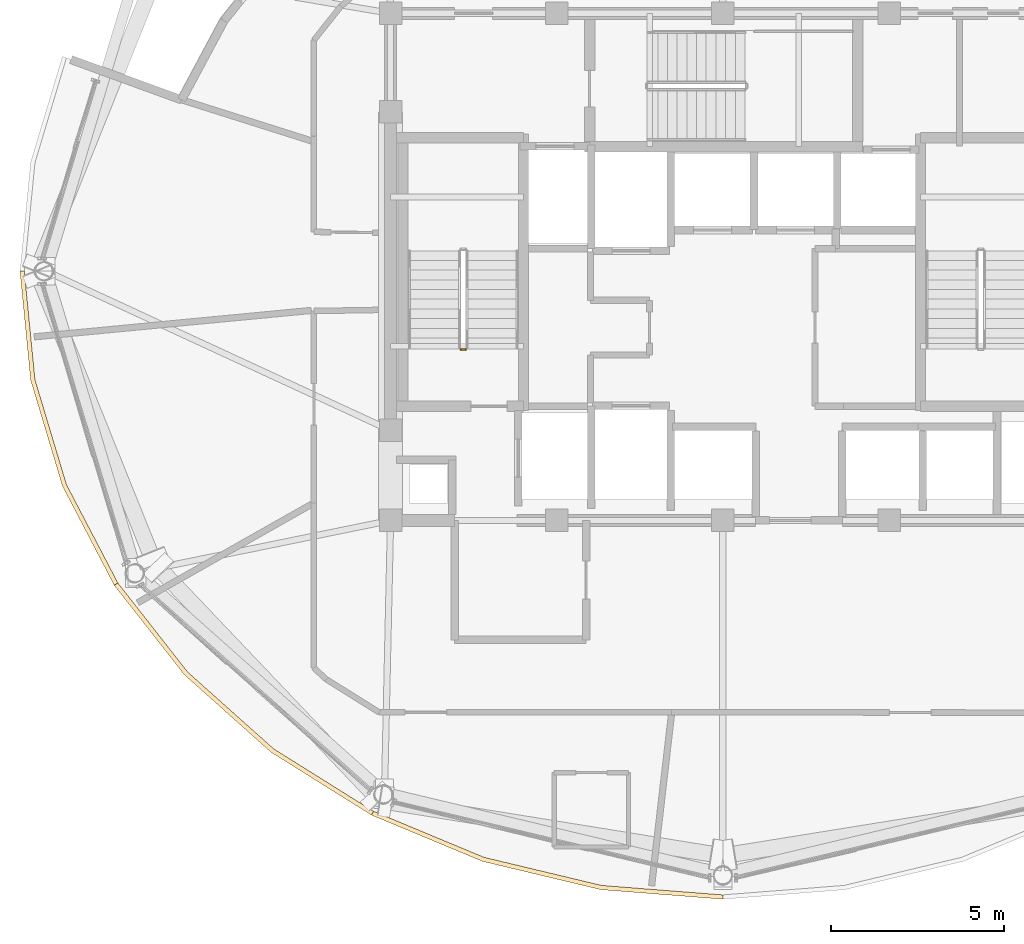
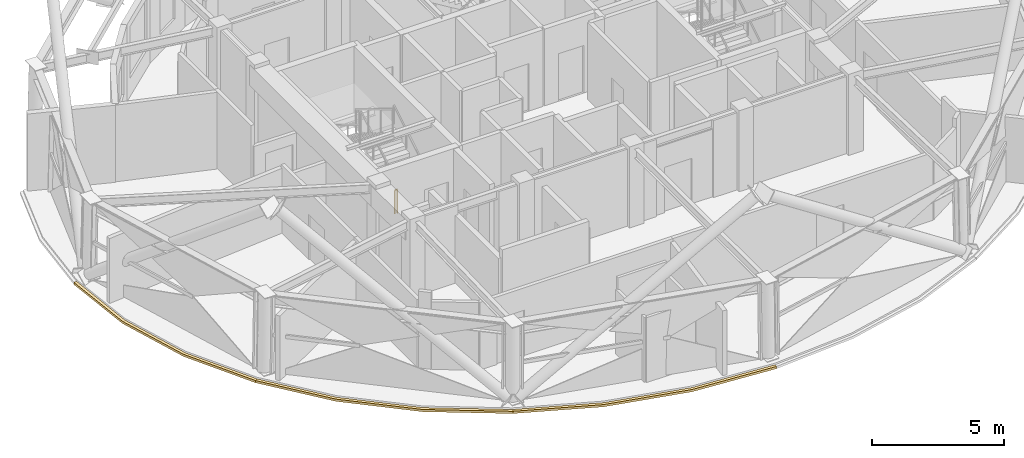
# One storey, part 12 of 15: 3 coverings, 1 railing.
"""IFC4 building model written with IfcOpenShell, lengths in metres."""

from ifc_helpers import new_model, si_unit, direction, frame, origin, origin_2d, place, context, subcontext, project, spatial, polyline, rectangle, outline, extrude, material, layer, layer_set, type_object, element, save


model = new_model("IFC4")

# Units and contexts
model_context = context("Model", 3, precision=1e-05, world=origin(), true_north=direction((0.0, 1.0)))
body_context = subcontext(model_context, "Body", "Model", "MODEL_VIEW")
ifc_project = project(units=[si_unit("LENGTHUNIT", "METRE"), si_unit("AREAUNIT", "SQUARE_METRE"), si_unit("VOLUMEUNIT", "CUBIC_METRE"), si_unit("PLANEANGLEUNIT", "RADIAN"), si_unit("MASSUNIT", "GRAM", prefix="KILO")], contexts=[model_context])

# Site, building, storey
site_placement = place(None, origin())
site = spatial("IfcSite", under=ifc_project, at=site_placement, CompositionType="ELEMENT")
building_placement = place(site_placement, origin())
building = spatial("IfcBuilding", under=site, at=building_placement, Name="Vantalir Tower", CompositionType="ELEMENT")
storey_placement = place(building_placement, frame((0.0, 0.0, 275.10009765625)))
storey = spatial("IfcBuildingStorey", under=building, at=storey_placement, Name="L69", CompositionType="ELEMENT", Elevation=275.10009765625)

# Coverings
ifc_material_1 = material(Name="Anodised champagne aluminium sill fascia", Category="aluminium")
ifc_layer = layer(ifc_material_1, 0.125)
ifc_layer_set = layer_set([ifc_layer], Name="Anodised champagne aluminium sill fascia")
covering_type = type_object("IfcCoveringType", Name="COV-SLAB-FASCIA-125", PredefinedType="CLADDING", material=ifc_layer_set)
covering_1_placement = place(storey_placement, frame((0.0, 0.0, -0.18017578125)))
element("IfcCovering", 1, at=covering_1_placement, inside=storey, type_object=covering_type, Name="L69 Perimeter Slab-Edge Sill Fascia 07", PredefinedType="CLADDING", context=body_context, shape_type="SweptSolid", body=[
    extrude(outline(polyline([(11.195068359375, 25.0), (11.5029296875, 21.85009765625), (12.419921875, 18.794921875), (13.9150390625, 15.927978515625), (14.02392578125, 15.990966796875), (12.537109375, 18.8369140625), (11.626953125, 21.87109375), (11.320068359375, 25.0), (11.195068359375, 25.0)])), origin(), (0.0, 0.0, 1.0), 0.10498046875),
])
covering_2_placement = place(storey_placement, frame((0.0, 0.0, -0.18017578125)))
element("IfcCovering", 2, at=covering_2_placement, inside=storey, type_object=covering_type, Name="L69 Perimeter Slab-Edge Sill Fascia 08", PredefinedType="CLADDING", context=body_context, shape_type="SweptSolid", body=[
    extrude(outline(polyline([(13.9150390625, 15.927978515625), (15.945068359375, 13.337890625), (18.447998046875, 11.10205078125), (21.346923828125, 9.2880859375), (21.409912109375, 9.39599609375), (18.529052734375, 11.197021484375), (16.041015625, 13.41796875), (14.02392578125, 15.990966796875), (13.9150390625, 15.927978515625)])), origin(), (0.0, 0.0, 1.0), 0.10498046875),
])
covering_3_placement = place(storey_placement, frame((0.0, 0.0, -0.18017578125)))
element("IfcCovering", 3, at=covering_3_placement, inside=storey, type_object=covering_type, Name="L69 Perimeter Slab-Edge Sill Fascia 09", PredefinedType="CLADDING", context=body_context, shape_type="SweptSolid", body=[
    extrude(outline(polyline([(21.346923828125, 9.2880859375), (24.554931640625, 7.950927734375), (27.97412109375, 7.133056640625), (31.5, 6.85693359375), (31.5, 6.98193359375), (27.99609375, 7.256103515625), (24.597900390625, 8.069091796875), (21.409912109375, 9.39599609375), (21.346923828125, 9.2880859375)])), origin(), (0.0, 0.0, 1.0), 0.10498046875),
])

# Railing
ifc_material_2 = material(Name="Anodised aluminium and stainless steel guard", Category="steel")
railing_type = type_object("IfcRailingType", Name="RAL-GUARD-1120", PredefinedType="GUARDRAIL", material=ifc_material_2)
railing_placement = place(storey_placement, frame((24.06005859375, 22.739990234375, 0.0)))
element("IfcRailing", 4, at=railing_placement, inside=storey, type_object=railing_type, Name="L69 ST1 stair guard 4", PredefinedType="GUARDRAIL", context=body_context, shape_type="SweptSolid", body=[
    extrude(rectangle(XDim=0.048095703125, YDim=0.048095703125, at=origin_2d()), frame((0.0, 0.0, 1.09619140625), z_axis=(-1.0, 0.0, 0.0), x_axis=(0.0, -1.0, 0.0)), (0.0, 0.0, 1.0), 0.1201171875),
    extrude(rectangle(XDim=0.0419921875, YDim=0.0419921875, at=origin_2d()), origin(), (0.0, 0.0, 1.0), 1.072021484375),
    extrude(rectangle(XDim=0.0419921875, YDim=0.0419921875, at=origin_2d()), frame((-0.1201171875, 0.0, 0.0)), (0.0, 0.0, 1.0), 1.072021484375),
])

save(model, "model.ifc")
